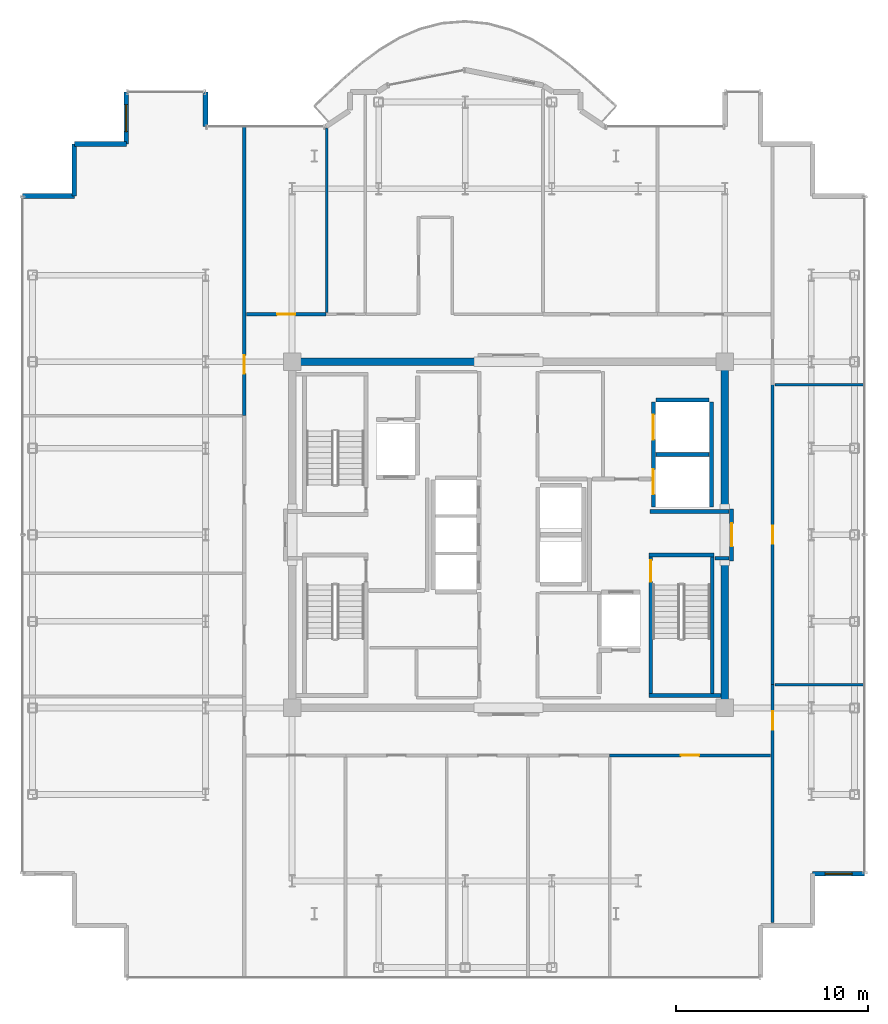
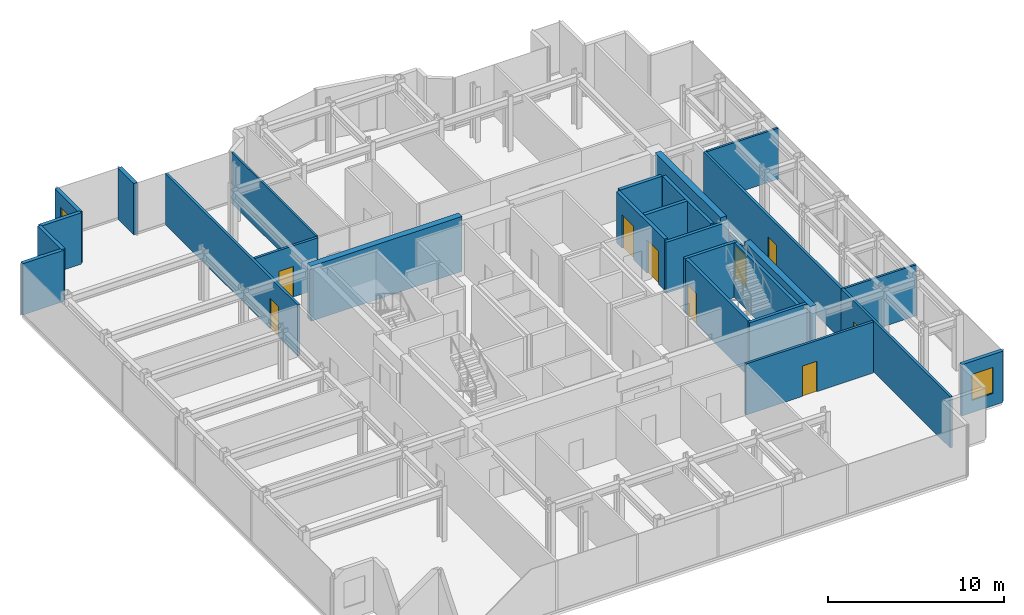
# One storey, part 15 of 18: 28 walls, 9 doors, 2 windows, 11 openings.
"""IFC4 building model written with IfcOpenShell, lengths in metres."""

from ifc_helpers import new_model, si_unit, direction, frame, frame_2d, origin, place, context, subcontext, project, spatial, rectangle, extrude, source, transform, mapped, material, layer, layer_set, type_object, element, fill, save


model = new_model("IFC4")

# Units and contexts
model_context = context("Model", 3, precision=1e-05, world=origin(), true_north=direction((0.0, 1.0)))
body_context = subcontext(model_context, "Body", "Model", "MODEL_VIEW")
ifc_project = project(units=[si_unit("LENGTHUNIT", "METRE"), si_unit("AREAUNIT", "SQUARE_METRE"), si_unit("VOLUMEUNIT", "CUBIC_METRE"), si_unit("PLANEANGLEUNIT", "RADIAN"), si_unit("MASSUNIT", "GRAM", prefix="KILO")], contexts=[model_context])

# Site, building, storey
site_placement = place(None, origin())
site = spatial("IfcSite", under=ifc_project, at=site_placement, CompositionType="ELEMENT")
building_placement = place(site_placement, origin())
building = spatial("IfcBuilding", under=site, at=building_placement, Name="Nefas-Gora Pilgrimage Tower", CompositionType="ELEMENT")
storey_placement = place(building_placement, frame((0.0, 0.0, 326.199951171875)))
storey = spatial("IfcBuildingStorey", under=building, at=storey_placement, Name="L82", CompositionType="ELEMENT", Elevation=326.199951171875)

# Walls
ifc_material_1 = material(Name="Concrete C50/60", Category="concrete")
ifc_layer_1 = layer(ifc_material_1, 0.39990234375)
ifc_layer_set_1 = layer_set([ifc_layer_1], Name="Concrete C50/60")
wall_type_1 = type_object("IfcWallType", Name="SW-CORE-400", PredefinedType="SHEAR", material=ifc_layer_set_1)
shared_shape_1 = source(origin(), body_context, "Body", "SweptSolid", [
    extrude(rectangle(XDim=9.89990234375, YDim=0.39990234375, at=frame_2d((4.949951171875, 0.0))), origin(), (0.0, 0.0, 1.0), 3.800048828125),
])
wall_1_placement = place(storey_placement, frame((-11.449951171875, 9.0, 0.0), z_axis=(0.0, 0.0, 1.0), x_axis=(1.0, 0.0, 0.0)))
element("IfcWall", 1, at=wall_1_placement, inside=storey, type_object=wall_type_1, Name="L82 Core Shear Wall N-West", PredefinedType="SHEAR", context=body_context, shape_type="MappedRepresentation", body=[
    mapped(shared_shape_1, transform((0.0, 0.0, 0.0), x_axis=(1.0, 0.0, 0.0), y_axis=(0.0, 1.0, 0.0), z_axis=(0.0, 0.0, 1.0), scale=1.0)),
])
shared_shape_2 = source(origin(), body_context, "Body", "SweptSolid", [
    extrude(rectangle(XDim=7.449951171875, YDim=0.39990234375, at=frame_2d((3.72509765625, 0.0))), origin(), (0.0, 0.0, 1.0), 3.800048828125),
])
for number, where, z_axis, x_axis, name in (
    (2, (11.25, -8.800048828125, 0.0), (0.0, 0.0, 1.0), (0.0, 1.0, 0.0), "L82 Core Shear Wall E-South"),
    (3, (11.25, 1.35009765625, 0.0), (0.0, 0.0, 1.0), (0.0, 1.0, 0.0), "L82 Core Shear Wall E-North"),
):
    element("IfcWall", number, at=place(storey_placement, frame(where, z_axis=z_axis, x_axis=x_axis)), inside=storey, type_object=wall_type_1, Name=name, PredefinedType="SHEAR", context=body_context, shape_type="MappedRepresentation", body=[
        mapped(shared_shape_2, transform((0.0, 0.0, 0.0), x_axis=(1.0, 0.0, 0.0), y_axis=(0.0, 1.0, 0.0), z_axis=(0.0, 0.0, 1.0), scale=1.0)),
    ])
ifc_material_2 = material(Name="Precast concrete C40/50", Category="concrete")
ifc_layer_2 = layer(ifc_material_2, 0.260009765625)
ifc_layer_set_2 = layer_set([ifc_layer_2], Name="Precast concrete C40/50")
wall_type_2 = type_object("IfcWallType", Name="EW-PORTAL-260", PredefinedType="SOLIDWALL", material=ifc_layer_set_2)
shared_shape_3 = source(origin(), body_context, "Body", "SweptSolid", [
    extrude(rectangle(XDim=1.800048828125, YDim=0.260009765625, at=frame_2d((0.89990234375, 0.0))), origin(), (0.0, 0.0, 1.0), 3.550048828125),
])
wall_2_placement = place(storey_placement, frame((-15.75, 21.219970703125, 0.0), z_axis=(0.0, 0.0, 1.0), x_axis=(0.0, 1.0, 0.0)))
element("IfcWall", 4, at=wall_2_placement, inside=storey, type_object=wall_type_2, Name="L82 Lobe Shoulder Precast Spandrel Pier 16", PredefinedType="SOLIDWALL", context=body_context, shape_type="MappedRepresentation", body=[
    mapped(shared_shape_3, transform((0.0, 0.0, 0.0), x_axis=(1.0, 0.0, 0.0), y_axis=(0.0, 1.0, 0.0), z_axis=(0.0, 0.0, 1.0), scale=1.0)),
])

# Wall, opening, window
ifc_material_3 = material(Name="Precast concrete C45/55", Category="concrete")
ifc_layer_3 = layer(ifc_material_3, 0.239990234375)
ifc_layer_set_3 = layer_set([ifc_layer_3], Name="Precast concrete C45/55")
wall_type_3 = type_object("IfcWallType", Name="EW-SERR-240", PredefinedType="SHEAR", material=ifc_layer_set_3)
shared_shape_4 = source(origin(), body_context, "Body", "SweptSolid", [
    extrude(rectangle(XDim=2.699951171875, YDim=0.239990234375, at=frame_2d((1.35009765625, 0.0))), origin(), (0.0, 0.0, 1.0), 3.550048828125),
])
wall_3_placement = place(storey_placement, frame((15.820068359375, -17.6201171875, 0.0), z_axis=(0.0, 0.0, 1.0), x_axis=(1.0, 0.0, 0.0)))
wall_3 = element("IfcWall", 5, at=wall_3_placement, inside=storey, type_object=wall_type_3, Name="L82 Serrated Corner Shear Pier Wall 1", PredefinedType="SHEAR", context=body_context, shape_type="MappedRepresentation", body=[
    mapped(shared_shape_4, transform((0.0, 0.0, 0.0), x_axis=(1.0, 0.0, 0.0), y_axis=(0.0, 1.0, 0.0), z_axis=(0.0, 0.0, 1.0), scale=1.0)),
])
opening_1_placement = place(wall_3_placement, frame((0.64990234375, 0.0, 0.85009765625)))
opening_1 = element("IfcOpeningElement", 6, at=opening_1_placement, cuts=wall_3, Name="Opening W-V2", PredefinedType="OPENING", context=body_context, shape_type="SweptSolid", body=[
    extrude(rectangle(XDim=1.39990234375, YDim=1.800048828125, at=frame_2d((0.699951171875, 0.89990234375))), frame((0.0, 0.1298828125, 0.0), z_axis=(0.0, -1.0, 0.0), x_axis=(1.0, 0.0, 0.0)), (0.0, 0.0, 1.0), 0.260009765625),
])
ifc_material_4 = material(Name="Dark ceramic-fritted operable aluminium-glass window", Category="aluminium")
window_type = type_object("IfcWindowType", Name="WIN-VENT-1400x1800", PartitioningType="SINGLE_PANEL", PredefinedType="WINDOW", material=ifc_material_4)
shared_shape_5 = source(origin(), body_context, "Body", "SweptSolid", [
    extrude(rectangle(XDim=1.39990234375, YDim=1.800048828125, at=frame_2d((0.699951171875, 0.89990234375))), frame((0.0, 0.030029296875, 0.0), z_axis=(0.0, -1.0, 0.0), x_axis=(1.0, 0.0, 0.0)), (0.0, 0.0, 1.0), 0.06005859375),
])
window_1_placement = place(opening_1_placement, origin())
window_1 = element("IfcWindow", 7, at=window_1_placement, inside=storey, type_object=window_type, Name="L82 Operable Parallel-Outswing Window 1", OverallHeight=1.800048828125, OverallWidth=1.39990234375, PartitioningType="SINGLE_PANEL", PredefinedType="WINDOW", context=body_context, shape_type="MappedRepresentation", body=[
    mapped(shared_shape_5, transform((0.0, 0.0, 0.0), x_axis=(1.0, 0.0, 0.0), y_axis=(0.0, 1.0, 0.0), z_axis=(0.0, 0.0, 1.0), scale=1.0)),
])
fill(opening_1, window_1)

wall_4_placement = place(storey_placement, frame((-19.8701171875, 23.02001953125, 0.0), z_axis=(0.0, 0.0, 1.0), x_axis=(0.0, -1.0, 0.0)))
wall_4 = element("IfcWall", 8, at=wall_4_placement, inside=storey, type_object=wall_type_3, Name="L82 Serrated Corner Shear Pier Wall 17", PredefinedType="SHEAR", context=body_context, shape_type="MappedRepresentation", body=[
    mapped(shared_shape_4, transform((0.0, 0.0, 0.0), x_axis=(1.0, 0.0, 0.0), y_axis=(0.0, 1.0, 0.0), z_axis=(0.0, 0.0, 1.0), scale=1.0)),
])
opening_2_placement = place(wall_4_placement, frame((0.64990234375, 0.0, 0.85009765625)))
opening_2 = element("IfcOpeningElement", 9, at=opening_2_placement, cuts=wall_4, Name="Opening W-V2", PredefinedType="OPENING", context=body_context, shape_type="SweptSolid", body=[
    extrude(rectangle(XDim=1.39990234375, YDim=1.800048828125, at=frame_2d((0.699951171875, 0.89990234375))), frame((0.0, 0.1298828125, 0.0), z_axis=(0.0, -1.0, 0.0), x_axis=(1.0, 0.0, 0.0)), (0.0, 0.0, 1.0), 0.260009765625),
])
window_2_placement = place(opening_2_placement, origin())
window_2 = element("IfcWindow", 10, at=window_2_placement, inside=storey, type_object=window_type, Name="L82 Operable Parallel-Outswing Window 17", OverallHeight=1.800048828125, OverallWidth=1.39990234375, PartitioningType="SINGLE_PANEL", PredefinedType="WINDOW", context=body_context, shape_type="MappedRepresentation", body=[
    mapped(shared_shape_5, transform((0.0, 0.0, 0.0), x_axis=(1.0, 0.0, 0.0), y_axis=(0.0, 1.0, 0.0), z_axis=(0.0, 0.0, 1.0), scale=1.0)),
])
fill(opening_2, window_2)

# Walls
for number, where, z_axis, x_axis, name in (
    (11, (-19.8701171875, 20.320068359375, 0.0), (0.0, 0.0, 1.0), (-1.0, 0.0, 0.0), "L82 Serrated Corner Shear Pier Wall 18"),
    (12, (-22.570068359375, 20.320068359375, 0.0), (0.0, 0.0, 1.0), (0.0, -1.0, 0.0), "L82 Serrated Corner Shear Pier Wall 19"),
    (13, (-22.570068359375, 17.6201171875, 0.0), (0.0, 0.0, 1.0), (-1.0, 0.0, 0.0), "L82 Serrated Corner Shear Pier Wall 20"),
):
    element("IfcWall", number, at=place(storey_placement, frame(where, z_axis=z_axis, x_axis=x_axis)), inside=storey, type_object=wall_type_3, Name=name, PredefinedType="SHEAR", context=body_context, shape_type="MappedRepresentation", body=[
        mapped(shared_shape_4, transform((0.0, 0.0, 0.0), x_axis=(1.0, 0.0, 0.0), y_axis=(0.0, 1.0, 0.0), z_axis=(0.0, 0.0, 1.0), scale=1.0)),
    ])
ifc_material_5 = material(Name="Concrete C45/55", Category="concrete")
ifc_layer_4 = layer(ifc_material_5, 0.199951171875)
ifc_layer_set_4 = layer_set([ifc_layer_4], Name="Concrete C45/55")
wall_type_4 = type_object("IfcWallType", Name="IW-STAIR-200", PredefinedType="SOLIDWALL", material=ifc_layer_set_4)
shared_shape_6 = source(origin(), body_context, "Body", "SweptSolid", [
    extrude(rectangle(XDim=3.39990234375, YDim=0.199951171875, at=frame_2d((1.699951171875, 0.0))), origin(), (0.0, 0.0, 1.0), 3.800048828125),
])
wall_5_placement = place(storey_placement, frame((7.300048828125, -1.050048828125, 0.0), z_axis=(0.0, 0.0, 1.0), x_axis=(1.0, 0.0, 0.0)))
element("IfcWall", 14, at=wall_5_placement, inside=storey, type_object=wall_type_4, Name="L82 Stairwell Shear Wall ST-02-near", PredefinedType="SOLIDWALL", context=body_context, shape_type="MappedRepresentation", body=[
    mapped(shared_shape_6, transform((0.0, 0.0, 0.0), x_axis=(1.0, 0.0, 0.0), y_axis=(0.0, 1.0, 0.0), z_axis=(0.0, 0.0, 1.0), scale=1.0)),
])

# Wall, opening, door
shared_shape_7 = source(origin(), body_context, "Body", "SweptSolid", [
    extrude(rectangle(XDim=7.10009765625, YDim=0.199951171875, at=frame_2d((3.550048828125, 0.0))), origin(), (0.0, 0.0, 1.0), 3.800048828125),
])
wall_6_placement = place(storey_placement, frame((7.39990234375, -1.14990234375, 0.0), z_axis=(0.0, 0.0, 1.0), x_axis=(0.0, -1.0, 0.0)))
wall_6 = element("IfcWall", 15, at=wall_6_placement, inside=storey, type_object=wall_type_4, Name="L82 Stairwell Shear Wall ST-02-left", PredefinedType="SOLIDWALL", context=body_context, shape_type="MappedRepresentation", body=[
    mapped(shared_shape_7, transform((0.0, 0.0, 0.0), x_axis=(1.0, 0.0, 0.0), y_axis=(0.0, 1.0, 0.0), z_axis=(0.0, 0.0, 1.0), scale=1.0)),
])
opening_3_placement = place(wall_6_placement, frame((0.179931640625, 0.0, 0.0)))
opening_3 = element("IfcOpeningElement", 16, at=opening_3_placement, cuts=wall_6, Name="Opening ID-ST1", PredefinedType="OPENING", context=body_context, shape_type="SweptSolid", body=[
    extrude(rectangle(XDim=1.10009765625, YDim=2.14990234375, at=frame_2d((0.550048828125, 1.074951171875))), frame((0.0, 0.10986328125, 0.0), z_axis=(0.0, -1.0, 0.0), x_axis=(1.0, 0.0, 0.0)), (0.0, 0.0, 1.0), 0.219970703125),
])
ifc_material_6 = material(Name="Painted galvanised steel fire stair door", Category="steel")
door_type_1 = type_object("IfcDoorType", Name="DR-INT-STAIR-1100", OperationType="NOTDEFINED", PredefinedType="DOOR", material=ifc_material_6)
shared_shape_8 = source(origin(), body_context, "Body", "SweptSolid", [
    extrude(rectangle(XDim=1.10009765625, YDim=2.14990234375, at=frame_2d((0.550048828125, 1.074951171875))), frame((0.0, 0.02490234375, 0.0), z_axis=(0.0, -1.0, 0.0), x_axis=(1.0, 0.0, 0.0)), (0.0, 0.0, 1.0), 0.050048828125),
])
door_1_placement = place(opening_3_placement, origin())
door_1 = element("IfcDoor", 17, at=door_1_placement, inside=storey, type_object=door_type_1, Name="L82 Protected Exit Stair Door ST-02", OperationType="SINGLE_SWING_LEFT", OverallHeight=2.14990234375, OverallWidth=1.10009765625, PredefinedType="DOOR", context=body_context, shape_type="MappedRepresentation", body=[
    mapped(shared_shape_8, transform((0.0, 0.0, 0.0), x_axis=(1.0, 0.0, 0.0), y_axis=(0.0, 1.0, 0.0), z_axis=(0.0, 0.0, 1.0), scale=1.0)),
])
fill(opening_3, door_1)

# Walls
wall_7_placement = place(storey_placement, frame((10.60009765625, -1.14990234375, 0.0), z_axis=(0.0, 0.0, 1.0), x_axis=(0.0, -1.0, 0.0)))
element("IfcWall", 18, at=wall_7_placement, inside=storey, type_object=wall_type_4, Name="L82 Stairwell Shear Wall ST-02-right", PredefinedType="SOLIDWALL", context=body_context, shape_type="MappedRepresentation", body=[
    mapped(shared_shape_7, transform((0.0, 0.0, 0.0), x_axis=(1.0, 0.0, 0.0), y_axis=(0.0, 1.0, 0.0), z_axis=(0.0, 0.0, 1.0), scale=1.0)),
])
shared_shape_9 = source(origin(), body_context, "Body", "SweptSolid", [
    extrude(rectangle(XDim=3.7548828125, YDim=0.199951171875, at=frame_2d((1.87744140625, 0.0))), origin(), (0.0, 0.0, 1.0), 3.800048828125),
])
wall_8_placement = place(storey_placement, frame((7.300048828125, -8.35009765625, 0.0), z_axis=(0.0, 0.0, 1.0), x_axis=(1.0, 0.0, 0.0)))
element("IfcWall", 19, at=wall_8_placement, inside=storey, type_object=wall_type_4, Name="L82 Stairwell Shear Wall ST-02-far", PredefinedType="SOLIDWALL", context=body_context, shape_type="MappedRepresentation", body=[
    mapped(shared_shape_9, transform((0.0, 0.0, 0.0), x_axis=(1.0, 0.0, 0.0), y_axis=(0.0, 1.0, 0.0), z_axis=(0.0, 0.0, 1.0), scale=1.0)),
])

# Wall, openings, doors
ifc_material_7 = material(Name="Concrete C40/50", Category="concrete")
ifc_layer_5 = layer(ifc_material_7, 0.219970703125)
ifc_layer_set_5 = layer_set([ifc_layer_5], Name="Concrete C40/50")
wall_type_5 = type_object("IfcWallType", Name="IW-SHAFT-220", PredefinedType="SOLIDWALL", material=ifc_layer_set_5)
shared_shape_10 = source(origin(), body_context, "Body", "SweptSolid", [
    extrude(rectangle(XDim=5.449951171875, YDim=0.219970703125, at=frame_2d((2.72509765625, 0.0))), origin(), (0.0, 0.0, 1.0), 3.53515625),
])
wall_9_placement = place(storey_placement, frame((7.5400390625, 6.89990234375, 0.0), z_axis=(0.0, 0.0, 1.0), x_axis=(0.0, -1.0, 0.0)))
wall_9 = element("IfcWall", 20, at=wall_9_placement, inside=storey, type_object=wall_type_5, Name="L82 Hoistway Wall SL-01-02-W", PredefinedType="SOLIDWALL", context=body_context, shape_type="MappedRepresentation", body=[
    mapped(shared_shape_10, transform((0.0, 0.0, 0.0), x_axis=(1.0, 0.0, 0.0), y_axis=(0.0, 1.0, 0.0), z_axis=(0.0, 0.0, 1.0), scale=1.0)),
])
opening_4_placement = place(wall_9_placement, frame((3.5, 0.0, 0.0)))
opening_4 = element("IfcOpeningElement", 21, at=opening_4_placement, cuts=wall_9, Name="Opening LD-SV", PredefinedType="OPENING", context=body_context, shape_type="SweptSolid", body=[
    extrude(rectangle(XDim=1.300048828125, YDim=2.300048828125, at=frame_2d((0.64990234375, 1.14990234375))), frame((0.0, 0.119873046875, 0.0), z_axis=(0.0, -1.0, 0.0), x_axis=(1.0, 0.0, 0.0)), (0.0, 0.0, 1.0), 0.239990234375),
])
opening_5_placement = place(wall_9_placement, frame((0.64990234375, 0.0, 0.0)))
opening_5 = element("IfcOpeningElement", 22, at=opening_5_placement, cuts=wall_9, Name="Opening LD-SV", PredefinedType="OPENING", context=body_context, shape_type="SweptSolid", body=[
    extrude(rectangle(XDim=1.300048828125, YDim=2.300048828125, at=frame_2d((0.64990234375, 1.14990234375))), frame((0.0, 0.119873046875, 0.0), z_axis=(0.0, -1.0, 0.0), x_axis=(1.0, 0.0, 0.0)), (0.0, 0.0, 1.0), 0.239990234375),
])
ifc_material_8 = material(Name="Heavy goods sliding lift landing door")
door_type_2 = type_object("IfcDoorType", Name="DR-LIFT-SERV-1300", OperationType="SLIDING_TO_RIGHT", PredefinedType="DOOR", material=ifc_material_8)
shared_shape_11 = source(origin(), body_context, "Body", "SweptSolid", [
    extrude(rectangle(XDim=1.300048828125, YDim=2.300048828125, at=frame_2d((0.64990234375, 1.14990234375))), frame((0.0, 0.02490234375, 0.0), z_axis=(0.0, -1.0, 0.0), x_axis=(1.0, 0.0, 0.0)), (0.0, 0.0, 1.0), 0.050048828125),
])
door_2_placement = place(opening_4_placement, origin())
door_2 = element("IfcDoor", 23, at=door_2_placement, inside=storey, type_object=door_type_2, Name="L82 Sliding Lift Landing Door SL-01", OperationType="SLIDING_TO_RIGHT", OverallHeight=2.300048828125, OverallWidth=1.300048828125, PredefinedType="DOOR", context=body_context, shape_type="MappedRepresentation", body=[
    mapped(shared_shape_11, transform((0.0, 0.0, 0.0), x_axis=(1.0, 0.0, 0.0), y_axis=(0.0, 1.0, 0.0), z_axis=(0.0, 0.0, 1.0), scale=1.0)),
])
fill(opening_4, door_2)
door_3_placement = place(opening_5_placement, origin())
door_3 = element("IfcDoor", 24, at=door_3_placement, inside=storey, type_object=door_type_2, Name="L82 Sliding Lift Landing Door SL-02", OperationType="SLIDING_TO_RIGHT", OverallHeight=2.300048828125, OverallWidth=1.300048828125, PredefinedType="DOOR", context=body_context, shape_type="MappedRepresentation", body=[
    mapped(shared_shape_11, transform((0.0, 0.0, 0.0), x_axis=(1.0, 0.0, 0.0), y_axis=(0.0, 1.0, 0.0), z_axis=(0.0, 0.0, 1.0), scale=1.0)),
])
fill(opening_5, door_3)

# Walls
wall_10_placement = place(storey_placement, frame((10.56005859375, 1.449951171875, 0.0), z_axis=(0.0, 0.0, 1.0), x_axis=(0.0, 1.0, 0.0)))
element("IfcWall", 25, at=wall_10_placement, inside=storey, type_object=wall_type_5, Name="L82 Hoistway Wall SL-01-02-E", PredefinedType="SOLIDWALL", context=body_context, shape_type="MappedRepresentation", body=[
    mapped(shared_shape_10, transform((0.0, 0.0, 0.0), x_axis=(1.0, 0.0, 0.0), y_axis=(0.0, 1.0, 0.0), z_axis=(0.0, 0.0, 1.0), scale=1.0)),
])
shared_shape_12 = source(origin(), body_context, "Body", "SweptSolid", [
    extrude(rectangle(XDim=2.780029296875, YDim=0.219970703125, at=frame_2d((1.39013671875, 0.0))), origin(), (0.0, 0.0, 1.0), 3.53515625),
])
for number, where, z_axis, x_axis, name in (
    (26, (7.659912109375, 4.175048828125, 0.0), (0.0, 0.0, 1.0), (1.0, 0.0, 0.0), "L82 Hoistway Wall SL-01-02-DIV"),
    (27, (10.43994140625, 7.010009765625, 0.0), (0.0, 0.0, 1.0), (-1.0, 0.0, 0.0), "L82 Hoistway Wall SL-02-N"),
):
    element("IfcWall", number, at=place(storey_placement, frame(where, z_axis=z_axis, x_axis=x_axis)), inside=storey, type_object=wall_type_5, Name=name, PredefinedType="SOLIDWALL", context=body_context, shape_type="MappedRepresentation", body=[
        mapped(shared_shape_12, transform((0.0, 0.0, 0.0), x_axis=(1.0, 0.0, 0.0), y_axis=(0.0, 1.0, 0.0), z_axis=(0.0, 0.0, 1.0), scale=1.0)),
    ])
ifc_material_9 = material(Name="Gypsum fire-rated shaftwall")
ifc_layer_6 = layer(ifc_material_9, 0.199951171875)
ifc_layer_set_6 = layer_set([ifc_layer_6], Name="Gypsum fire-rated shaftwall")
wall_type_6 = type_object("IfcWallType", Name="IW-FFLOB-200", PredefinedType="PARTITIONING", material=ifc_layer_set_6)
shared_shape_13 = source(origin(), body_context, "Body", "SweptSolid", [
    extrude(rectangle(XDim=0.719970703125, YDim=0.199951171875, at=frame_2d((0.35986328125, 0.0))), origin(), (0.0, 0.0, 1.0), 3.53515625),
])
wall_11_placement = place(storey_placement, frame((10.739990234375, -1.219970703125, 0.0), z_axis=(0.0, 0.0, 1.0), x_axis=(1.0, 0.0, 0.0)))
element("IfcWall", 28, at=wall_11_placement, inside=storey, type_object=wall_type_6, Name="L82 FF Lobby East Throat S Wall 15", PredefinedType="PARTITIONING", context=body_context, shape_type="MappedRepresentation", body=[
    mapped(shared_shape_13, transform((0.0, 0.0, 0.0), x_axis=(1.0, 0.0, 0.0), y_axis=(0.0, 1.0, 0.0), z_axis=(0.0, 0.0, 1.0), scale=1.0)),
])
shared_shape_14 = source(origin(), body_context, "Body", "SweptSolid", [
    extrude(rectangle(XDim=4.10986328125, YDim=0.199951171875, at=frame_2d((2.054931640625, 0.0))), origin(), (0.0, 0.0, 1.0), 3.53515625),
])
wall_12_placement = place(storey_placement, frame((7.35009765625, 1.219970703125, 0.0), z_axis=(0.0, 0.0, 1.0), x_axis=(1.0, 0.0, 0.0)))
element("IfcWall", 29, at=wall_12_placement, inside=storey, type_object=wall_type_6, Name="L82 FF Lobby East Throat N Wall 14", PredefinedType="PARTITIONING", context=body_context, shape_type="MappedRepresentation", body=[
    mapped(shared_shape_14, transform((0.0, 0.0, 0.0), x_axis=(1.0, 0.0, 0.0), y_axis=(0.0, 1.0, 0.0), z_axis=(0.0, 0.0, 1.0), scale=1.0)),
])
ifc_material_10 = material(Name="Moisture-resistant fire-rated gypsum partition")
ifc_layer_7 = layer(ifc_material_10, 0.1201171875)
ifc_layer_set_7 = layer_set([ifc_layer_7], Name="Moisture-resistant fire-rated gypsum partition")
wall_type_7 = type_object("IfcWallType", Name="IW-WET-120", PredefinedType="PLUMBINGWALL", material=ifc_layer_set_7)
shared_shape_15 = source(origin(), body_context, "Body", "SweptSolid", [
    extrude(rectangle(XDim=9.586669921875, YDim=0.1201171875, at=frame_2d((4.79345703125, 0.0))), origin(), (0.0, 0.0, 1.0), 3.53515625),
])
wall_13_placement = place(storey_placement, frame((-9.449951171875, 11.570068359375, 0.0), z_axis=(0.0, 0.0, 1.0), x_axis=(0.0, 1.0, 0.0)))
element("IfcWall", 30, at=wall_13_placement, inside=storey, type_object=wall_type_7, Name="L82 Accessible Unisex WC Partition Wall 32", PredefinedType="PLUMBINGWALL", context=body_context, shape_type="MappedRepresentation", body=[
    mapped(shared_shape_15, transform((0.0, 0.0, 0.0), x_axis=(1.0, 0.0, 0.0), y_axis=(0.0, 1.0, 0.0), z_axis=(0.0, 0.0, 1.0), scale=1.0)),
])

# Wall, opening, door
ifc_material_11 = material(Name="Gypsum acoustic stud partition")
ifc_layer_8 = layer(ifc_material_11, 0.159912109375)
ifc_layer_set_8 = layer_set([ifc_layer_8], Name="Gypsum acoustic stud partition")
wall_type_8 = type_object("IfcWallType", Name="IW-CORR-160", PredefinedType="PARTITIONING", material=ifc_layer_set_8)
shared_shape_16 = source(origin(), body_context, "Body", "SweptSolid", [
    extrude(rectangle(XDim=4.125, YDim=0.159912109375, at=frame_2d((2.0625, 0.0))), origin(), (0.0, 0.0, 1.0), 3.53515625),
])
wall_14_placement = place(storey_placement, frame((-13.6201171875, 11.469970703125, 0.0), z_axis=(0.0, 0.0, 1.0), x_axis=(1.0, 0.0, 0.0)))
wall_14 = element("IfcWall", 31, at=wall_14_placement, inside=storey, type_object=wall_type_8, Name="L82 Pilgrim Fellowship Seminar Room Partition Wall 45", PredefinedType="PARTITIONING", context=body_context, shape_type="MappedRepresentation", body=[
    mapped(shared_shape_16, transform((0.0, 0.0, 0.0), x_axis=(1.0, 0.0, 0.0), y_axis=(0.0, 1.0, 0.0), z_axis=(0.0, 0.0, 1.0), scale=1.0)),
])
opening_6_placement = place(wall_14_placement, frame((1.58740234375, 0.0, 0.0)))
opening_6 = element("IfcOpeningElement", 32, at=opening_6_placement, cuts=wall_14, Name="Opening ID-GR1", PredefinedType="OPENING", context=body_context, shape_type="SweptSolid", body=[
    extrude(rectangle(XDim=0.949951171875, YDim=2.10009765625, at=frame_2d((0.47509765625, 1.050048828125))), frame((0.0, 0.08984375, 0.0), z_axis=(0.0, -1.0, 0.0), x_axis=(1.0, 0.0, 0.0)), (0.0, 0.0, 1.0), 0.179931640625),
])
ifc_material_12 = material(Name="Solid core oak fire-rated guest entrance door")
door_type_3 = type_object("IfcDoorType", Name="DR-INT-GUEST-950", OperationType="NOTDEFINED", PredefinedType="DOOR", material=ifc_material_12)
shared_shape_17 = source(origin(), body_context, "Body", "SweptSolid", [
    extrude(rectangle(XDim=0.949951171875, YDim=2.10009765625, at=frame_2d((0.47509765625, 1.050048828125))), frame((0.0, 0.02490234375, 0.0), z_axis=(0.0, -1.0, 0.0), x_axis=(1.0, 0.0, 0.0)), (0.0, 0.0, 1.0), 0.050048828125),
])
door_4_placement = place(opening_6_placement, origin())
door_4 = element("IfcDoor", 33, at=door_4_placement, inside=storey, type_object=door_type_3, Name="L82 Pilgrim Fellowship Seminar Room Door 21", OperationType="SINGLE_SWING_LEFT", OverallHeight=2.10009765625, OverallWidth=0.949951171875, PredefinedType="DOOR", context=body_context, shape_type="MappedRepresentation", body=[
    mapped(shared_shape_17, transform((0.0, 0.0, 0.0), x_axis=(1.0, 0.0, 0.0), y_axis=(0.0, 1.0, 0.0), z_axis=(0.0, 0.0, 1.0), scale=1.0)),
])
fill(opening_6, door_4)

shared_shape_18 = source(origin(), body_context, "Body", "SweptSolid", [
    extrude(rectangle(XDim=2.7001953125, YDim=0.199951171875, at=frame_2d((1.35009765625, 0.0))), origin(), (0.0, 0.0, 1.0), 2.625),
])
wall_15_placement = place(storey_placement, frame((11.60009765625, -1.35009765625, 0.0), z_axis=(0.0, 0.0, 1.0), x_axis=(0.0, 1.0, 0.0)))
wall_15 = element("IfcWall", 34, at=wall_15_placement, inside=storey, type_object=wall_type_6, Name="L82 FF Lobby East Portal Wall 10", PredefinedType="PARTITIONING", context=body_context, shape_type="MappedRepresentation", body=[
    mapped(shared_shape_18, transform((0.0, 0.0, 0.0), x_axis=(1.0, 0.0, 0.0), y_axis=(0.0, 1.0, 0.0), z_axis=(0.0, 0.0, 1.0), scale=1.0)),
])
opening_7_placement = place(wall_15_placement, frame((0.75, 0.0, 0.0)))
opening_7 = element("IfcOpeningElement", 35, at=opening_7_placement, cuts=wall_15, Name="Opening ID-FF1", PredefinedType="OPENING", context=body_context, shape_type="SweptSolid", body=[
    extrude(rectangle(XDim=1.199951171875, YDim=2.14990234375, at=frame_2d((0.60009765625, 1.074951171875))), frame((0.0, 0.10986328125, 0.0), z_axis=(0.0, -1.0, 0.0), x_axis=(1.0, 0.0, 0.0)), (0.0, 0.0, 1.0), 0.219970703125),
])
ifc_material_13 = material(Name="Smoke-sealed steel firefighting lobby door", Category="steel")
door_type_4 = type_object("IfcDoorType", Name="DR-INT-FFLOB-1200", OperationType="NOTDEFINED", PredefinedType="DOOR", material=ifc_material_13)
shared_shape_19 = source(origin(), body_context, "Body", "SweptSolid", [
    extrude(rectangle(XDim=1.199951171875, YDim=2.14990234375, at=frame_2d((0.60009765625, 1.074951171875))), frame((0.0, 0.02490234375, 0.0), z_axis=(0.0, -1.0, 0.0), x_axis=(1.0, 0.0, 0.0)), (0.0, 0.0, 1.0), 0.050048828125),
])
door_5_placement = place(opening_7_placement, origin())
door_5 = element("IfcDoor", 36, at=door_5_placement, inside=storey, type_object=door_type_4, Name="L82 FF Lobby East Portal Door 4", OperationType="SINGLE_SWING_RIGHT", OverallHeight=2.14990234375, OverallWidth=1.199951171875, PredefinedType="DOOR", context=body_context, shape_type="MappedRepresentation", body=[
    mapped(shared_shape_19, transform((0.0, 0.0, 0.0), x_axis=(1.0, 0.0, 0.0), y_axis=(0.0, 1.0, 0.0), z_axis=(0.0, 0.0, 1.0), scale=1.0)),
])
fill(opening_7, door_5)

# Walls
ifc_material_14 = material(Name="Gypsum twin-stud partition")
ifc_layer_9 = layer(ifc_material_14, 0.139892578125)
ifc_layer_set_9 = layer_set([ifc_layer_9], Name="Gypsum twin-stud partition")
wall_type_9 = type_object("IfcWallType", Name="IW-UNIT-140", PredefinedType="PARTITIONING", material=ifc_layer_set_9)
shared_shape_20 = source(origin(), body_context, "Body", "SweptSolid", [
    extrude(rectangle(XDim=4.679931640625, YDim=0.139892578125, at=frame_2d((2.33984375, 0.0))), origin(), (0.0, 0.0, 1.0), 3.53515625),
])
for number, where, z_axis, x_axis, name in (
    (37, (13.860107421875, -7.804931640625, 0.0), (0.0, 0.0, 1.0), (1.0, 0.0, 0.0), "L82 Pilgrim Fellowship Seminar Room Partition Wall 41"),
    (38, (13.860107421875, 7.794921875, 0.0), (0.0, 0.0, 1.0), (1.0, 0.0, 0.0), "L82 Pilgrim Fellowship Seminar Room Partition Wall 43"),
):
    element("IfcWall", number, at=place(storey_placement, frame(where, z_axis=z_axis, x_axis=x_axis)), inside=storey, type_object=wall_type_9, Name=name, PredefinedType="PARTITIONING", context=body_context, shape_type="MappedRepresentation", body=[
        mapped(shared_shape_20, transform((0.0, 0.0, 0.0), x_axis=(1.0, 0.0, 0.0), y_axis=(0.0, 1.0, 0.0), z_axis=(0.0, 0.0, 1.0), scale=1.0)),
    ])

# Wall, opening, door
shared_shape_21 = source(origin(), body_context, "Body", "SweptSolid", [
    extrude(rectangle(XDim=15.044921875, YDim=0.159912109375, at=frame_2d((7.5224609375, 0.0))), origin(), (0.0, 0.0, 1.0), 3.53515625),
])
wall_16_placement = place(storey_placement, frame((-13.739990234375, 6.195068359375, 0.0), z_axis=(0.0, 0.0, 1.0), x_axis=(0.0, 1.0, 0.0)))
wall_16 = element("IfcWall", 39, at=wall_16_placement, inside=storey, type_object=wall_type_8, Name="L82 Pilgrim Tea and Beverage Pantry Partition Wall 39", PredefinedType="PARTITIONING", context=body_context, shape_type="MappedRepresentation", body=[
    mapped(shared_shape_21, transform((0.0, 0.0, 0.0), x_axis=(1.0, 0.0, 0.0), y_axis=(0.0, 1.0, 0.0), z_axis=(0.0, 0.0, 1.0), scale=1.0)),
])
opening_8_placement = place(wall_16_placement, frame((2.1826171875, 0.0, 0.0)))
opening_8 = element("IfcOpeningElement", 40, at=opening_8_placement, cuts=wall_16, Name="Opening ID-GR1", PredefinedType="OPENING", context=body_context, shape_type="SweptSolid", body=[
    extrude(rectangle(XDim=0.949951171875, YDim=2.10009765625, at=frame_2d((0.47509765625, 1.050048828125))), frame((0.0, 0.08984375, 0.0), z_axis=(0.0, -1.0, 0.0), x_axis=(1.0, 0.0, 0.0)), (0.0, 0.0, 1.0), 0.179931640625),
])
door_6_placement = place(opening_8_placement, origin())
door_6 = element("IfcDoor", 41, at=door_6_placement, inside=storey, type_object=door_type_3, Name="L82 Pilgrim Tea and Beverage Pantry Door 17", OperationType="SINGLE_SWING_LEFT", OverallHeight=2.10009765625, OverallWidth=0.949951171875, PredefinedType="DOOR", context=body_context, shape_type="MappedRepresentation", body=[
    mapped(shared_shape_17, transform((0.0, 0.0, 0.0), x_axis=(1.0, 0.0, 0.0), y_axis=(0.0, 1.0, 0.0), z_axis=(0.0, 0.0, 1.0), scale=1.0)),
])
fill(opening_8, door_6)

shared_shape_22 = source(origin(), body_context, "Body", "SweptSolid", [
    extrude(rectangle(XDim=12.364990234375, YDim=0.159912109375, at=frame_2d((6.1826171875, 0.0))), origin(), (0.0, 0.0, 1.0), 3.53515625),
])
wall_17_placement = place(storey_placement, frame((13.739990234375, -20.159912109375, 0.0), z_axis=(0.0, 0.0, 1.0), x_axis=(0.0, 1.0, 0.0)))
wall_17 = element("IfcWall", 42, at=wall_17_placement, inside=storey, type_object=wall_type_8, Name="L82 Pilgrim Fellowship Seminar Room Partition Wall 40", PredefinedType="PARTITIONING", context=body_context, shape_type="MappedRepresentation", body=[
    mapped(shared_shape_22, transform((0.0, 0.0, 0.0), x_axis=(1.0, 0.0, 0.0), y_axis=(0.0, 1.0, 0.0), z_axis=(0.0, 0.0, 1.0), scale=1.0)),
])
opening_9_placement = place(wall_17_placement, frame((10.032470703125, 0.0, 0.0)))
opening_9 = element("IfcOpeningElement", 43, at=opening_9_placement, cuts=wall_17, Name="Opening ID-GR1", PredefinedType="OPENING", context=body_context, shape_type="SweptSolid", body=[
    extrude(rectangle(XDim=0.949951171875, YDim=2.10009765625, at=frame_2d((0.47509765625, 1.050048828125))), frame((0.0, 0.08984375, 0.0), z_axis=(0.0, -1.0, 0.0), x_axis=(1.0, 0.0, 0.0)), (0.0, 0.0, 1.0), 0.179931640625),
])
door_7_placement = place(opening_9_placement, origin())
door_7 = element("IfcDoor", 44, at=door_7_placement, inside=storey, type_object=door_type_3, Name="L82 Pilgrim Fellowship Seminar Room Door 18", OperationType="SINGLE_SWING_RIGHT", OverallHeight=2.10009765625, OverallWidth=0.949951171875, PredefinedType="DOOR", context=body_context, shape_type="MappedRepresentation", body=[
    mapped(shared_shape_17, transform((0.0, 0.0, 0.0), x_axis=(1.0, 0.0, 0.0), y_axis=(0.0, 1.0, 0.0), z_axis=(0.0, 0.0, 1.0), scale=1.0)),
])
fill(opening_9, door_7)

shared_shape_23 = source(origin(), body_context, "Body", "SweptSolid", [
    extrude(rectangle(XDim=15.60986328125, YDim=0.159912109375, at=frame_2d((7.804931640625, 0.0))), origin(), (0.0, 0.0, 1.0), 3.53515625),
])
wall_18_placement = place(storey_placement, frame((13.739990234375, -7.804931640625, 0.0), z_axis=(0.0, 0.0, 1.0), x_axis=(0.0, 1.0, 0.0)))
wall_18 = element("IfcWall", 45, at=wall_18_placement, inside=storey, type_object=wall_type_8, Name="L82 Pilgrim Fellowship Seminar Room Partition Wall 42", PredefinedType="PARTITIONING", context=body_context, shape_type="MappedRepresentation", body=[
    mapped(shared_shape_23, transform((0.0, 0.0, 0.0), x_axis=(1.0, 0.0, 0.0), y_axis=(0.0, 1.0, 0.0), z_axis=(0.0, 0.0, 1.0), scale=1.0)),
])
opening_10_placement = place(wall_18_placement, frame((7.330078125, 0.0, 0.0)))
opening_10 = element("IfcOpeningElement", 46, at=opening_10_placement, cuts=wall_18, Name="Opening ID-GR1", PredefinedType="OPENING", context=body_context, shape_type="SweptSolid", body=[
    extrude(rectangle(XDim=0.949951171875, YDim=2.10009765625, at=frame_2d((0.47509765625, 1.050048828125))), frame((0.0, 0.08984375, 0.0), z_axis=(0.0, -1.0, 0.0), x_axis=(1.0, 0.0, 0.0)), (0.0, 0.0, 1.0), 0.179931640625),
])
door_8_placement = place(opening_10_placement, origin())
door_8 = element("IfcDoor", 47, at=door_8_placement, inside=storey, type_object=door_type_3, Name="L82 Pilgrim Fellowship Seminar Room Door 19", OperationType="SINGLE_SWING_LEFT", OverallHeight=2.10009765625, OverallWidth=0.949951171875, PredefinedType="DOOR", context=body_context, shape_type="MappedRepresentation", body=[
    mapped(shared_shape_17, transform((0.0, 0.0, 0.0), x_axis=(1.0, 0.0, 0.0), y_axis=(0.0, 1.0, 0.0), z_axis=(0.0, 0.0, 1.0), scale=1.0)),
])
fill(opening_10, door_8)

shared_shape_24 = source(origin(), body_context, "Body", "SweptSolid", [
    extrude(rectangle(XDim=8.360107421875, YDim=0.159912109375, at=frame_2d((4.18017578125, 0.0))), origin(), (0.0, 0.0, 1.0), 3.53515625),
])
wall_19_placement = place(storey_placement, frame((5.260009765625, -11.469970703125, 0.0), z_axis=(0.0, 0.0, 1.0), x_axis=(1.0, 0.0, 0.0)))
wall_19 = element("IfcWall", 48, at=wall_19_placement, inside=storey, type_object=wall_type_8, Name="L82 Pilgrim Contemplative Lounge Partition Wall 59", PredefinedType="PARTITIONING", context=body_context, shape_type="MappedRepresentation", body=[
    mapped(shared_shape_24, transform((0.0, 0.0, 0.0), x_axis=(1.0, 0.0, 0.0), y_axis=(0.0, 1.0, 0.0), z_axis=(0.0, 0.0, 1.0), scale=1.0)),
])
opening_11_placement = place(wall_19_placement, frame((3.705078125, 0.0, 0.0)))
opening_11 = element("IfcOpeningElement", 49, at=opening_11_placement, cuts=wall_19, Name="Opening ID-GR1", PredefinedType="OPENING", context=body_context, shape_type="SweptSolid", body=[
    extrude(rectangle(XDim=0.949951171875, YDim=2.10009765625, at=frame_2d((0.47509765625, 1.050048828125))), frame((0.0, 0.08984375, 0.0), z_axis=(0.0, -1.0, 0.0), x_axis=(1.0, 0.0, 0.0)), (0.0, 0.0, 1.0), 0.179931640625),
])
door_9_placement = place(opening_11_placement, origin())
door_9 = element("IfcDoor", 50, at=door_9_placement, inside=storey, type_object=door_type_3, Name="L82 Pilgrim Contemplative Lounge Door 27", OperationType="SINGLE_SWING_LEFT", OverallHeight=2.10009765625, OverallWidth=0.949951171875, PredefinedType="DOOR", context=body_context, shape_type="MappedRepresentation", body=[
    mapped(shared_shape_17, transform((0.0, 0.0, 0.0), x_axis=(1.0, 0.0, 0.0), y_axis=(0.0, 1.0, 0.0), z_axis=(0.0, 0.0, 1.0), scale=1.0)),
])
fill(opening_11, door_9)

save(model, "model.ifc")
